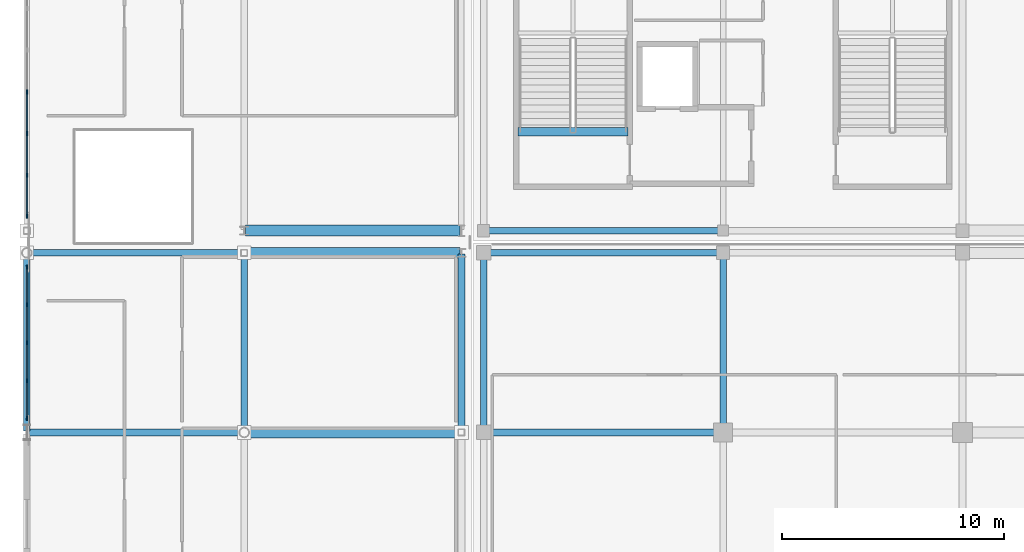
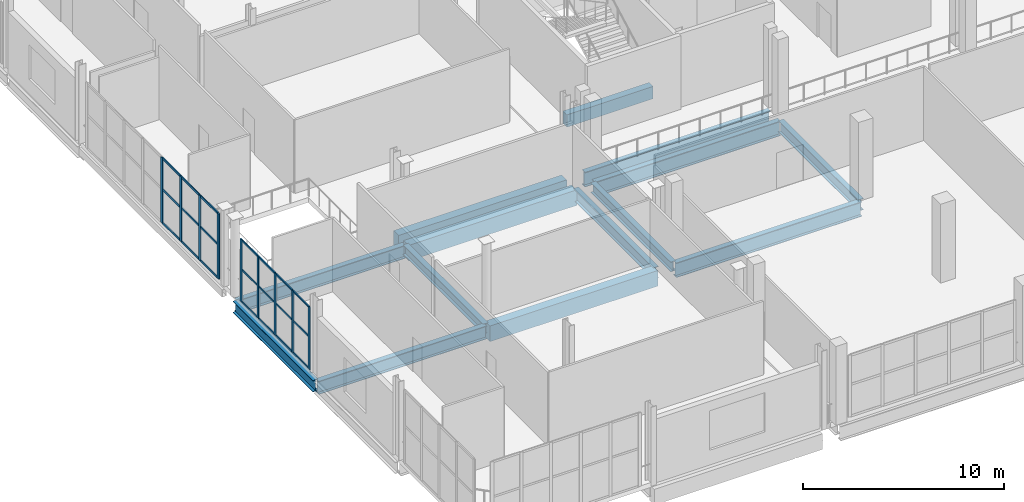
# One storey, part 14 of 142: 30 members, 14 beams, 2 elements without a shape of their own.
"""IFC4 building model written with IfcOpenShell, lengths in metres."""

from ifc_helpers import new_model, si_unit, direction, frame, origin, origin_2d, place, context, subcontext, project, spatial, rectangle, i_section, extrude, material, material_profile, profile_set, type_object, element, aggregate, save


model = new_model("IFC4")

# Units and contexts
model_context = context("Model", 3, precision=1e-05, world=origin(), true_north=direction((0.0, 1.0)))
body_context = subcontext(model_context, "Body", "Model", "MODEL_VIEW")
ifc_project = project(units=[si_unit("LENGTHUNIT", "METRE"), si_unit("AREAUNIT", "SQUARE_METRE"), si_unit("VOLUMEUNIT", "CUBIC_METRE"), si_unit("PLANEANGLEUNIT", "RADIAN"), si_unit("MASSUNIT", "GRAM", prefix="KILO")], contexts=[model_context])

# Site, building, storey
site_placement = place(None, origin())
site = spatial("IfcSite", under=ifc_project, at=site_placement, CompositionType="ELEMENT")
building_placement = place(site_placement, origin())
building = spatial("IfcBuilding", under=site, at=building_placement, Name="Koshinbarg Plaza Stadium", CompositionType="ELEMENT")
storey_placement = place(building_placement, frame((0.0, 0.0, 10.199951171875)))
storey = spatial("IfcBuildingStorey", under=building, at=storey_placement, Name="L02", CompositionType="ELEMENT", Elevation=10.199951171875)

# Beams
ifc_material_1 = material(Name="Concrete C40/50", Category="concrete")
ifc_material_profile_1 = material_profile(ifc_material_1, rectangle(XDim=0.39990234375, YDim=0.75, at=origin_2d()), Name="RC 400x750")
ifc_profile_set_1 = profile_set([ifc_material_profile_1], Name="Concrete C40/50")
beam_type_1 = type_object("IfcBeamType", Name="BM-RCG-03", PredefinedType="USERDEFINED", material=ifc_profile_set_1)
beam_placement = place(storey_placement, frame((26.14990234375, 29.9599609375, -0.375), z_axis=(1.0, 0.0, 0.0), x_axis=(0.0, 1.0, 0.0)))
element("IfcBeam", 1, at=beam_placement, inside=storey, type_object=beam_type_1, Name="L02 stair landing header beam C01", ObjectType="GIRDER", PredefinedType="USERDEFINED", context=body_context, shape_type="SweptSolid", body=[
    extrude(rectangle(XDim=0.39990234375, YDim=0.75, at=origin_2d()), origin(), (0.0, 0.0, 1.0), 4.97021484375),
])
ifc_material_profile_2 = material_profile(ifc_material_1, rectangle(XDim=0.5, YDim=0.949951171875, at=origin_2d()), Name="RC 500x950")
ifc_profile_set_2 = profile_set([ifc_material_profile_2], Name="Concrete C40/50")
beam_type_2 = type_object("IfcBeamType", Name="BM-RCG-06", PredefinedType="USERDEFINED", material=ifc_profile_set_2)
for number, where, z_axis, x_axis, name in (
    (2, (13.860107421875, 16.39990234375, -0.77490234375), (1.0, 0.0, 0.0), (0.0, 1.0, 0.0), "L02 X girder C/3-4"),
    (3, (13.860107421875, 24.5, -0.77490234375), (1.0, 0.0, 0.0), (0.0, 1.0, 0.0), "L02 X girder D/3-4"),
    (4, (13.860107421875, 25.5, -0.77490234375), (1.0, 0.0, 0.0), (0.0, 1.0, 0.0), "L02 X girder E/3-4"),
):
    element("IfcBeam", number, at=place(storey_placement, frame(where, z_axis=z_axis, x_axis=x_axis)), inside=storey, type_object=beam_type_2, Name=name, ObjectType="GIRDER", PredefinedType="USERDEFINED", context=body_context, shape_type="SweptSolid", body=[
        extrude(rectangle(XDim=0.5, YDim=0.949951171875, at=origin_2d()), origin(), (0.0, 0.0, 1.0), 9.679931640625),
    ])
ifc_material_2 = material(Name="Steel S355", Category="steel")
ifc_material_profile_3 = material_profile(ifc_material_2, i_section(OverallWidth=0.300048828125, OverallDepth=0.60009765625, WebThickness=0.015380859375, FlangeThickness=0.030029296875, at=origin_2d()), Name="HEB 600")
ifc_profile_set_3 = profile_set([ifc_material_profile_3], Name="Steel S355")
beam_type_3 = type_object("IfcBeamType", Name="BM-SGIR-02", PredefinedType="USERDEFINED", material=ifc_profile_set_3)
for number, where, z_axis, x_axis, name in (
    (5, (13.800048828125, 16.4599609375, -0.599853515625), (0.0, 1.0, 0.0), (-1.0, 0.0, 0.0), "L02 Y girder 3/C-D"),
    (6, (24.60009765625, 16.4599609375, -0.599853515625), (0.0, 1.0, 0.0), (-1.0, 0.0, 0.0), "L02 Y girder 5/C-D"),
):
    element("IfcBeam", number, at=place(storey_placement, frame(where, z_axis=z_axis, x_axis=x_axis)), inside=storey, type_object=beam_type_3, Name=name, ObjectType="GIRDER", PredefinedType="USERDEFINED", context=body_context, shape_type="SweptSolid", body=[
        extrude(i_section(OverallWidth=0.300048828125, OverallDepth=0.60009765625, WebThickness=0.015380859375, FlangeThickness=0.030029296875, at=origin_2d()), origin(), (0.0, 0.0, 1.0), 7.97998046875),
    ])
ifc_material_profile_4 = material_profile(ifc_material_2, i_section(OverallWidth=0.300048828125, OverallDepth=0.699951171875, WebThickness=0.01708984375, FlangeThickness=0.031982421875, at=origin_2d()), Name="HEB 700")
ifc_profile_set_4 = profile_set([ifc_material_profile_4], Name="Steel S355")
beam_type_4 = type_object("IfcBeamType", Name="BM-SGIR-03", PredefinedType="USERDEFINED", material=ifc_profile_set_4)
for number, where, z_axis, x_axis, name in (
    (7, (4.0, 16.4599609375, -0.64990234375), (0.0, 1.0, 0.0), (-1.0, 0.0, 0.0), "L02 Y girder 2/C-D"),
    (8, (23.60009765625, 16.4599609375, -0.64990234375), (0.0, 1.0, 0.0), (-1.0, 0.0, 0.0), "L02 Y girder 4/C-D"),
    (9, (35.39990234375, 16.4599609375, -0.64990234375), (0.0, 1.0, 0.0), (-1.0, 0.0, 0.0), "L02 Y girder 6/C-D"),
):
    element("IfcBeam", number, at=place(storey_placement, frame(where, z_axis=z_axis, x_axis=x_axis)), inside=storey, type_object=beam_type_4, Name=name, ObjectType="GIRDER", PredefinedType="USERDEFINED", context=body_context, shape_type="SweptSolid", body=[
        extrude(i_section(OverallWidth=0.300048828125, OverallDepth=0.699951171875, WebThickness=0.01708984375, FlangeThickness=0.031982421875, at=origin_2d()), origin(), (0.0, 0.0, 1.0), 7.97998046875),
    ])
ifc_material_profile_5 = material_profile(ifc_material_2, i_section(OverallWidth=0.300048828125, OverallDepth=0.800048828125, WebThickness=0.017578125, FlangeThickness=0.032958984375, at=origin_2d()), Name="HEB 800")
ifc_profile_set_5 = profile_set([ifc_material_profile_5], Name="Steel S355")
beam_type_5 = type_object("IfcBeamType", Name="BM-SGIR-04", PredefinedType="USERDEFINED", material=ifc_profile_set_5)
for number, where, z_axis, x_axis, name in (
    (10, (4.06005859375, 16.39990234375, -0.699951171875), (1.0, 0.0, 0.0), (0.0, 1.0, 0.0), "L02 X girder C/2-3"),
    (11, (4.06005859375, 24.5, -0.699951171875), (1.0, 0.0, 0.0), (0.0, 1.0, 0.0), "L02 X girder D/2-3"),
):
    element("IfcBeam", number, at=place(storey_placement, frame(where, z_axis=z_axis, x_axis=x_axis)), inside=storey, type_object=beam_type_5, Name=name, ObjectType="GIRDER", PredefinedType="USERDEFINED", context=body_context, shape_type="SweptSolid", body=[
        extrude(i_section(OverallWidth=0.300048828125, OverallDepth=0.800048828125, WebThickness=0.017578125, FlangeThickness=0.032958984375, at=origin_2d()), origin(), (0.0, 0.0, 1.0), 9.679931640625),
    ])
ifc_material_profile_6 = material_profile(ifc_material_2, i_section(OverallWidth=0.300048828125, OverallDepth=0.89990234375, WebThickness=0.0185546875, FlangeThickness=0.034912109375, at=origin_2d()), Name="HEB 900")
ifc_profile_set_6 = profile_set([ifc_material_profile_6], Name="Steel S355")
beam_type_6 = type_object("IfcBeamType", Name="BM-SGIR-05", PredefinedType="USERDEFINED", material=ifc_profile_set_6)
for number, where, z_axis, x_axis, name in (
    (12, (24.659912109375, 16.39990234375, -0.75), (1.0, 0.0, 0.0), (0.0, 1.0, 0.0), "L02 X girder C/5-6"),
    (13, (24.659912109375, 24.5, -0.75), (1.0, 0.0, 0.0), (0.0, 1.0, 0.0), "L02 X girder D/5-6"),
    (14, (24.659912109375, 25.5, -0.75), (1.0, 0.0, 0.0), (0.0, 1.0, 0.0), "L02 X girder E/5-6"),
):
    element("IfcBeam", number, at=place(storey_placement, frame(where, z_axis=z_axis, x_axis=x_axis)), inside=storey, type_object=beam_type_6, Name=name, ObjectType="GIRDER", PredefinedType="USERDEFINED", context=body_context, shape_type="SweptSolid", body=[
        extrude(i_section(OverallWidth=0.300048828125, OverallDepth=0.89990234375, WebThickness=0.0185546875, FlangeThickness=0.034912109375, at=origin_2d()), origin(), (0.0, 0.0, 1.0), 10.68017578125),
    ])

# Curtain wall, members
ifc_material_3 = material(Name="Thermally broken anodised aluminium and low-E double glazing", Category="aluminium")
curtain_wall_type_1 = type_object("IfcCurtainWallType", Name="CW-SYS-07", PredefinedType="NOTDEFINED", material=ifc_material_3)
curtain_wall_1_placement = place(storey_placement, origin())
curtain_wall_1 = element("IfcCurtainWall", 15, at=curtain_wall_1_placement, inside=storey, type_object=curtain_wall_type_1, Name="L02 unitised curtain wall CW-L02-038", PredefinedType="NOTDEFINED")
ifc_material_4 = material(Name="Anodised aluminium mullion", Category="aluminium")
ifc_material_profile_7 = material_profile(ifc_material_4, rectangle(XDim=0.070068359375, YDim=0.179931640625, at=origin_2d()), Name="ALU 70x180")
ifc_profile_set_7 = profile_set([ifc_material_profile_7], Name="Anodised aluminium mullion")
member_type_1 = type_object("IfcMemberType", Name="CW-MUL-03", PredefinedType="MULLION", material=ifc_profile_set_7)
member_1_placement = place(storey_placement, frame((4.0, 17.050048828125, 0.0), z_axis=(0.0, 0.0, 1.0), x_axis=(-1.0, 0.0, 0.0)))
member_1 = element("IfcMember", 16, at=member_1_placement, type_object=member_type_1, Name="CW07 mullion 1", PredefinedType="MULLION", context=body_context, shape_type="SweptSolid", body=[
    extrude(rectangle(XDim=0.070068359375, YDim=0.179931640625, at=origin_2d()), origin(), (0.0, 0.0, 1.0), 3.780029296875),
])
member_2_placement = place(storey_placement, frame((4.0, 18.735107421875, 0.0), z_axis=(0.0, 0.0, 1.0), x_axis=(-1.0, 0.0, 0.0)))
member_2 = element("IfcMember", 17, at=member_2_placement, type_object=member_type_1, Name="CW07 mullion 2", PredefinedType="MULLION", context=body_context, shape_type="SweptSolid", body=[
    extrude(rectangle(XDim=0.070068359375, YDim=0.179931640625, at=origin_2d()), origin(), (0.0, 0.0, 1.0), 3.780029296875),
])
member_3_placement = place(storey_placement, frame((4.0, 20.449951171875, 0.0), z_axis=(0.0, 0.0, 1.0), x_axis=(-1.0, 0.0, 0.0)))
member_3 = element("IfcMember", 18, at=member_3_placement, type_object=member_type_1, Name="CW07 mullion 3", PredefinedType="MULLION", context=body_context, shape_type="SweptSolid", body=[
    extrude(rectangle(XDim=0.070068359375, YDim=0.179931640625, at=origin_2d()), origin(), (0.0, 0.0, 1.0), 3.780029296875),
])
member_4_placement = place(storey_placement, frame((4.0, 22.1650390625, 0.0), z_axis=(0.0, 0.0, 1.0), x_axis=(-1.0, 0.0, 0.0)))
member_4 = element("IfcMember", 19, at=member_4_placement, type_object=member_type_1, Name="CW07 mullion 4", PredefinedType="MULLION", context=body_context, shape_type="SweptSolid", body=[
    extrude(rectangle(XDim=0.070068359375, YDim=0.179931640625, at=origin_2d()), origin(), (0.0, 0.0, 1.0), 3.780029296875),
])
member_5_placement = place(storey_placement, frame((4.0, 23.85009765625, 0.0), z_axis=(0.0, 0.0, 1.0), x_axis=(-1.0, 0.0, 0.0)))
member_5 = element("IfcMember", 20, at=member_5_placement, type_object=member_type_1, Name="CW07 mullion 5", PredefinedType="MULLION", context=body_context, shape_type="SweptSolid", body=[
    extrude(rectangle(XDim=0.070068359375, YDim=0.179931640625, at=origin_2d()), origin(), (0.0, 0.0, 1.0), 3.780029296875),
])

curtain_wall_type_2 = type_object("IfcCurtainWallType", Name="CW-SYS-08", PredefinedType="NOTDEFINED", material=ifc_material_3)
curtain_wall_2_placement = place(storey_placement, origin())
curtain_wall_2 = element("IfcCurtainWall", 21, at=curtain_wall_2_placement, inside=storey, type_object=curtain_wall_type_2, Name="L02 unitised curtain wall CW-L02-039", PredefinedType="NOTDEFINED")
ifc_material_profile_8 = material_profile(ifc_material_4, rectangle(XDim=0.070068359375, YDim=0.199951171875, at=origin_2d()), Name="ALU 70x200")
ifc_profile_set_8 = profile_set([ifc_material_profile_8], Name="Anodised aluminium mullion")
member_type_2 = type_object("IfcMemberType", Name="CW-MUL-04", PredefinedType="MULLION", material=ifc_profile_set_8)
member_6_placement = place(storey_placement, frame((4.0, 26.14990234375, 0.0), z_axis=(0.0, 0.0, 1.0), x_axis=(-1.0, 0.0, 0.0)))
member_6 = element("IfcMember", 22, at=member_6_placement, type_object=member_type_2, Name="CW08 mullion 1", PredefinedType="MULLION", context=body_context, shape_type="SweptSolid", body=[
    extrude(rectangle(XDim=0.070068359375, YDim=0.199951171875, at=origin_2d()), origin(), (0.0, 0.0, 1.0), 3.969970703125),
])
member_7_placement = place(storey_placement, frame((4.0, 28.0, 0.0), z_axis=(0.0, 0.0, 1.0), x_axis=(-1.0, 0.0, 0.0)))
member_7 = element("IfcMember", 23, at=member_7_placement, type_object=member_type_2, Name="CW08 mullion 2", PredefinedType="MULLION", context=body_context, shape_type="SweptSolid", body=[
    extrude(rectangle(XDim=0.070068359375, YDim=0.199951171875, at=origin_2d()), origin(), (0.0, 0.0, 1.0), 3.969970703125),
])
member_8_placement = place(storey_placement, frame((4.0, 29.8798828125, 0.0), z_axis=(0.0, 0.0, 1.0), x_axis=(-1.0, 0.0, 0.0)))
member_8 = element("IfcMember", 24, at=member_8_placement, type_object=member_type_2, Name="CW08 mullion 3", PredefinedType="MULLION", context=body_context, shape_type="SweptSolid", body=[
    extrude(rectangle(XDim=0.070068359375, YDim=0.199951171875, at=origin_2d()), origin(), (0.0, 0.0, 1.0), 3.969970703125),
])
member_9_placement = place(storey_placement, frame((4.0, 31.760009765625, 0.0), z_axis=(0.0, 0.0, 1.0), x_axis=(-1.0, 0.0, 0.0)))
member_9 = element("IfcMember", 25, at=member_9_placement, type_object=member_type_2, Name="CW08 mullion 4", PredefinedType="MULLION", context=body_context, shape_type="SweptSolid", body=[
    extrude(rectangle(XDim=0.070068359375, YDim=0.199951171875, at=origin_2d()), origin(), (0.0, 0.0, 1.0), 3.969970703125),
])

# Member
ifc_material_5 = material(Name="Anodised aluminium transom", Category="aluminium")
ifc_material_profile_9 = material_profile(ifc_material_5, rectangle(XDim=0.06005859375, YDim=0.110107421875, at=origin_2d()), Name="ALU 60x110")
ifc_profile_set_9 = profile_set([ifc_material_profile_9], Name="Anodised aluminium transom")
member_type_3 = type_object("IfcMemberType", Name="CW-TRN-01", PredefinedType="USERDEFINED", material=ifc_profile_set_9)
member_10_placement = place(storey_placement, frame((4.0, 17.080078125, 0.030029296875), z_axis=(0.0, 1.0, 0.0), x_axis=(-1.0, 0.0, 0.0)))
member_10 = element("IfcMember", 26, at=member_10_placement, type_object=member_type_3, Name="CW07 transom 1.1", ObjectType="TRANSOM", PredefinedType="USERDEFINED", context=body_context, shape_type="SweptSolid", body=[
    extrude(rectangle(XDim=0.06005859375, YDim=0.110107421875, at=origin_2d()), origin(), (0.0, 0.0, 1.0), 1.625),
])

member_11_placement = place(storey_placement, frame((4.0, 17.080078125, 1.965576171875), z_axis=(0.0, 1.0, 0.0), x_axis=(-1.0, 0.0, 0.0)))
member_11 = element("IfcMember", 27, at=member_11_placement, type_object=member_type_3, Name="CW07 transom 1.2", ObjectType="TRANSOM", PredefinedType="USERDEFINED", context=body_context, shape_type="SweptSolid", body=[
    extrude(rectangle(XDim=0.06005859375, YDim=0.110107421875, at=origin_2d()), origin(), (0.0, 0.0, 1.0), 1.625),
])

member_12_placement = place(storey_placement, frame((4.0, 17.080078125, 3.75), z_axis=(0.0, 1.0, 0.0), x_axis=(-1.0, 0.0, 0.0)))
member_12 = element("IfcMember", 28, at=member_12_placement, type_object=member_type_3, Name="CW07 transom 1.3", ObjectType="TRANSOM", PredefinedType="USERDEFINED", context=body_context, shape_type="SweptSolid", body=[
    extrude(rectangle(XDim=0.06005859375, YDim=0.110107421875, at=origin_2d()), origin(), (0.0, 0.0, 1.0), 1.625),
])

member_13_placement = place(storey_placement, frame((4.0, 18.764892578125, 0.030029296875), z_axis=(0.0, 1.0, 0.0), x_axis=(-1.0, 0.0, 0.0)))
member_13 = element("IfcMember", 29, at=member_13_placement, type_object=member_type_3, Name="CW07 transom 2.1", ObjectType="TRANSOM", PredefinedType="USERDEFINED", context=body_context, shape_type="SweptSolid", body=[
    extrude(rectangle(XDim=0.06005859375, YDim=0.110107421875, at=origin_2d()), origin(), (0.0, 0.0, 1.0), 1.655029296875),
])

member_14_placement = place(storey_placement, frame((4.0, 18.764892578125, 1.965576171875), z_axis=(0.0, 1.0, 0.0), x_axis=(-1.0, 0.0, 0.0)))
member_14 = element("IfcMember", 30, at=member_14_placement, type_object=member_type_3, Name="CW07 transom 2.2", ObjectType="TRANSOM", PredefinedType="USERDEFINED", context=body_context, shape_type="SweptSolid", body=[
    extrude(rectangle(XDim=0.06005859375, YDim=0.110107421875, at=origin_2d()), origin(), (0.0, 0.0, 1.0), 1.655029296875),
])

member_15_placement = place(storey_placement, frame((4.0, 18.764892578125, 3.75), z_axis=(0.0, 1.0, 0.0), x_axis=(-1.0, 0.0, 0.0)))
member_15 = element("IfcMember", 31, at=member_15_placement, type_object=member_type_3, Name="CW07 transom 2.3", ObjectType="TRANSOM", PredefinedType="USERDEFINED", context=body_context, shape_type="SweptSolid", body=[
    extrude(rectangle(XDim=0.06005859375, YDim=0.110107421875, at=origin_2d()), origin(), (0.0, 0.0, 1.0), 1.655029296875),
])

member_16_placement = place(storey_placement, frame((4.0, 20.47998046875, 0.030029296875), z_axis=(0.0, 1.0, 0.0), x_axis=(-1.0, 0.0, 0.0)))
member_16 = element("IfcMember", 32, at=member_16_placement, type_object=member_type_3, Name="CW07 transom 3.1", ObjectType="TRANSOM", PredefinedType="USERDEFINED", context=body_context, shape_type="SweptSolid", body=[
    extrude(rectangle(XDim=0.06005859375, YDim=0.110107421875, at=origin_2d()), origin(), (0.0, 0.0, 1.0), 1.655029296875),
])

member_17_placement = place(storey_placement, frame((4.0, 20.47998046875, 1.965576171875), z_axis=(0.0, 1.0, 0.0), x_axis=(-1.0, 0.0, 0.0)))
member_17 = element("IfcMember", 33, at=member_17_placement, type_object=member_type_3, Name="CW07 transom 3.2", ObjectType="TRANSOM", PredefinedType="USERDEFINED", context=body_context, shape_type="SweptSolid", body=[
    extrude(rectangle(XDim=0.06005859375, YDim=0.110107421875, at=origin_2d()), origin(), (0.0, 0.0, 1.0), 1.655029296875),
])

member_18_placement = place(storey_placement, frame((4.0, 20.47998046875, 3.75), z_axis=(0.0, 1.0, 0.0), x_axis=(-1.0, 0.0, 0.0)))
member_18 = element("IfcMember", 34, at=member_18_placement, type_object=member_type_3, Name="CW07 transom 3.3", ObjectType="TRANSOM", PredefinedType="USERDEFINED", context=body_context, shape_type="SweptSolid", body=[
    extrude(rectangle(XDim=0.06005859375, YDim=0.110107421875, at=origin_2d()), origin(), (0.0, 0.0, 1.0), 1.655029296875),
])

member_19_placement = place(storey_placement, frame((4.0, 22.195068359375, 0.030029296875), z_axis=(0.0, 1.0, 0.0), x_axis=(-1.0, 0.0, 0.0)))
member_19 = element("IfcMember", 35, at=member_19_placement, type_object=member_type_3, Name="CW07 transom 4.1", ObjectType="TRANSOM", PredefinedType="USERDEFINED", context=body_context, shape_type="SweptSolid", body=[
    extrude(rectangle(XDim=0.06005859375, YDim=0.110107421875, at=origin_2d()), origin(), (0.0, 0.0, 1.0), 1.625),
])

member_20_placement = place(storey_placement, frame((4.0, 22.195068359375, 1.965576171875), z_axis=(0.0, 1.0, 0.0), x_axis=(-1.0, 0.0, 0.0)))
member_20 = element("IfcMember", 36, at=member_20_placement, type_object=member_type_3, Name="CW07 transom 4.2", ObjectType="TRANSOM", PredefinedType="USERDEFINED", context=body_context, shape_type="SweptSolid", body=[
    extrude(rectangle(XDim=0.06005859375, YDim=0.110107421875, at=origin_2d()), origin(), (0.0, 0.0, 1.0), 1.625),
])

member_21_placement = place(storey_placement, frame((4.0, 22.195068359375, 3.75), z_axis=(0.0, 1.0, 0.0), x_axis=(-1.0, 0.0, 0.0)))
member_21 = element("IfcMember", 37, at=member_21_placement, type_object=member_type_3, Name="CW07 transom 4.3", ObjectType="TRANSOM", PredefinedType="USERDEFINED", context=body_context, shape_type="SweptSolid", body=[
    extrude(rectangle(XDim=0.06005859375, YDim=0.110107421875, at=origin_2d()), origin(), (0.0, 0.0, 1.0), 1.625),
])

aggregate(curtain_wall_1, [member_1, member_2, member_3, member_4, member_5, member_10, member_11, member_12, member_13, member_14, member_15, member_16, member_17, member_18, member_19, member_20, member_21])

ifc_material_profile_10 = material_profile(ifc_material_5, rectangle(XDim=0.06005859375, YDim=0.1298828125, at=origin_2d()), Name="ALU 60x130")
ifc_profile_set_10 = profile_set([ifc_material_profile_10], Name="Anodised aluminium transom")
member_type_4 = type_object("IfcMemberType", Name="CW-TRN-02", PredefinedType="USERDEFINED", material=ifc_profile_set_10)
member_22_placement = place(storey_placement, frame((4.0, 26.179931640625, 0.030029296875), z_axis=(0.0, 1.0, 0.0), x_axis=(-1.0, 0.0, 0.0)))
member_22 = element("IfcMember", 38, at=member_22_placement, type_object=member_type_4, Name="CW08 transom 1.1", ObjectType="TRANSOM", PredefinedType="USERDEFINED", context=body_context, shape_type="SweptSolid", body=[
    extrude(rectangle(XDim=0.06005859375, YDim=0.1298828125, at=origin_2d()), origin(), (0.0, 0.0, 1.0), 1.7900390625),
])

member_23_placement = place(storey_placement, frame((4.0, 26.179931640625, 2.064453125), z_axis=(0.0, 1.0, 0.0), x_axis=(-1.0, 0.0, 0.0)))
member_23 = element("IfcMember", 39, at=member_23_placement, type_object=member_type_4, Name="CW08 transom 1.2", ObjectType="TRANSOM", PredefinedType="USERDEFINED", context=body_context, shape_type="SweptSolid", body=[
    extrude(rectangle(XDim=0.06005859375, YDim=0.1298828125, at=origin_2d()), origin(), (0.0, 0.0, 1.0), 1.7900390625),
])

member_24_placement = place(storey_placement, frame((4.0, 26.179931640625, 3.93994140625), z_axis=(0.0, 1.0, 0.0), x_axis=(-1.0, 0.0, 0.0)))
member_24 = element("IfcMember", 40, at=member_24_placement, type_object=member_type_4, Name="CW08 transom 1.3", ObjectType="TRANSOM", PredefinedType="USERDEFINED", context=body_context, shape_type="SweptSolid", body=[
    extrude(rectangle(XDim=0.06005859375, YDim=0.1298828125, at=origin_2d()), origin(), (0.0, 0.0, 1.0), 1.7900390625),
])

member_25_placement = place(storey_placement, frame((4.0, 28.030029296875, 0.030029296875), z_axis=(0.0, 1.0, 0.0), x_axis=(-1.0, 0.0, 0.0)))
member_25 = element("IfcMember", 41, at=member_25_placement, type_object=member_type_4, Name="CW08 transom 2.1", ObjectType="TRANSOM", PredefinedType="USERDEFINED", context=body_context, shape_type="SweptSolid", body=[
    extrude(rectangle(XDim=0.06005859375, YDim=0.1298828125, at=origin_2d()), origin(), (0.0, 0.0, 1.0), 1.820068359375),
])

member_26_placement = place(storey_placement, frame((4.0, 28.030029296875, 2.064453125), z_axis=(0.0, 1.0, 0.0), x_axis=(-1.0, 0.0, 0.0)))
member_26 = element("IfcMember", 42, at=member_26_placement, type_object=member_type_4, Name="CW08 transom 2.2", ObjectType="TRANSOM", PredefinedType="USERDEFINED", context=body_context, shape_type="SweptSolid", body=[
    extrude(rectangle(XDim=0.06005859375, YDim=0.1298828125, at=origin_2d()), origin(), (0.0, 0.0, 1.0), 1.820068359375),
])

member_27_placement = place(storey_placement, frame((4.0, 28.030029296875, 3.93994140625), z_axis=(0.0, 1.0, 0.0), x_axis=(-1.0, 0.0, 0.0)))
member_27 = element("IfcMember", 43, at=member_27_placement, type_object=member_type_4, Name="CW08 transom 2.3", ObjectType="TRANSOM", PredefinedType="USERDEFINED", context=body_context, shape_type="SweptSolid", body=[
    extrude(rectangle(XDim=0.06005859375, YDim=0.1298828125, at=origin_2d()), origin(), (0.0, 0.0, 1.0), 1.820068359375),
])

member_28_placement = place(storey_placement, frame((4.0, 29.909912109375, 0.030029296875), z_axis=(0.0, 1.0, 0.0), x_axis=(-1.0, 0.0, 0.0)))
member_28 = element("IfcMember", 44, at=member_28_placement, type_object=member_type_4, Name="CW08 transom 3.1", ObjectType="TRANSOM", PredefinedType="USERDEFINED", context=body_context, shape_type="SweptSolid", body=[
    extrude(rectangle(XDim=0.06005859375, YDim=0.1298828125, at=origin_2d()), origin(), (0.0, 0.0, 1.0), 1.820068359375),
])

member_29_placement = place(storey_placement, frame((4.0, 29.909912109375, 2.064453125), z_axis=(0.0, 1.0, 0.0), x_axis=(-1.0, 0.0, 0.0)))
member_29 = element("IfcMember", 45, at=member_29_placement, type_object=member_type_4, Name="CW08 transom 3.2", ObjectType="TRANSOM", PredefinedType="USERDEFINED", context=body_context, shape_type="SweptSolid", body=[
    extrude(rectangle(XDim=0.06005859375, YDim=0.1298828125, at=origin_2d()), origin(), (0.0, 0.0, 1.0), 1.820068359375),
])

member_30_placement = place(storey_placement, frame((4.0, 29.909912109375, 3.93994140625), z_axis=(0.0, 1.0, 0.0), x_axis=(-1.0, 0.0, 0.0)))
member_30 = element("IfcMember", 46, at=member_30_placement, type_object=member_type_4, Name="CW08 transom 3.3", ObjectType="TRANSOM", PredefinedType="USERDEFINED", context=body_context, shape_type="SweptSolid", body=[
    extrude(rectangle(XDim=0.06005859375, YDim=0.1298828125, at=origin_2d()), origin(), (0.0, 0.0, 1.0), 1.820068359375),
])

aggregate(curtain_wall_2, [member_6, member_7, member_8, member_9, member_22, member_23, member_24, member_25, member_26, member_27, member_28, member_29, member_30])

save(model, "model.ifc")
